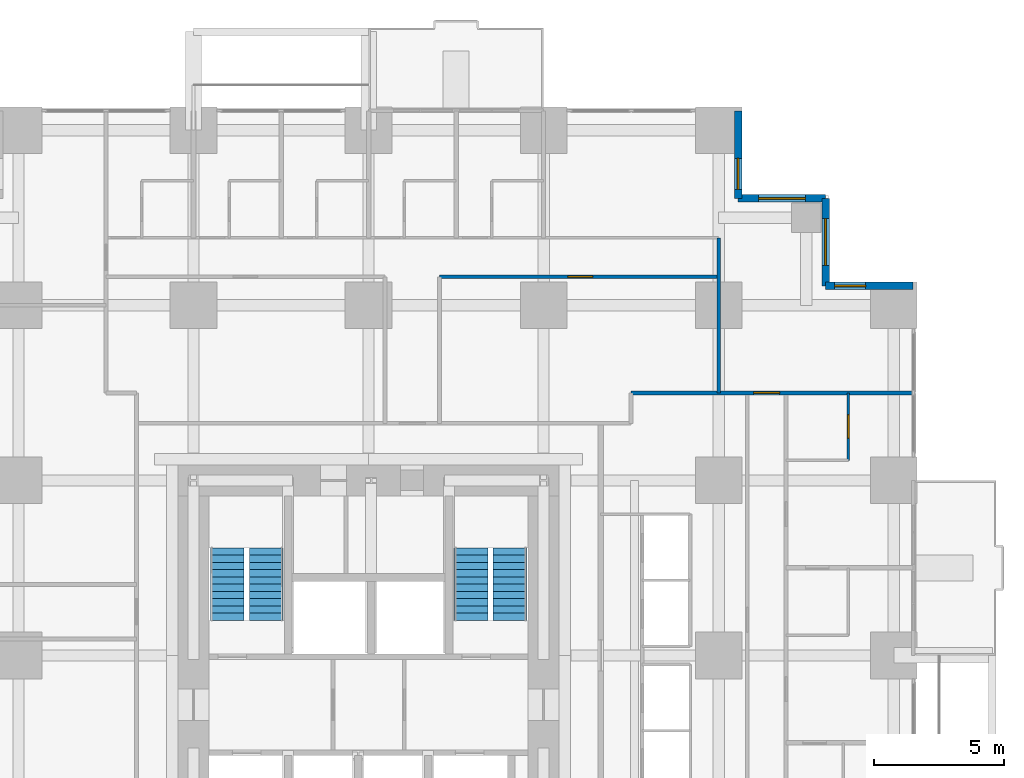
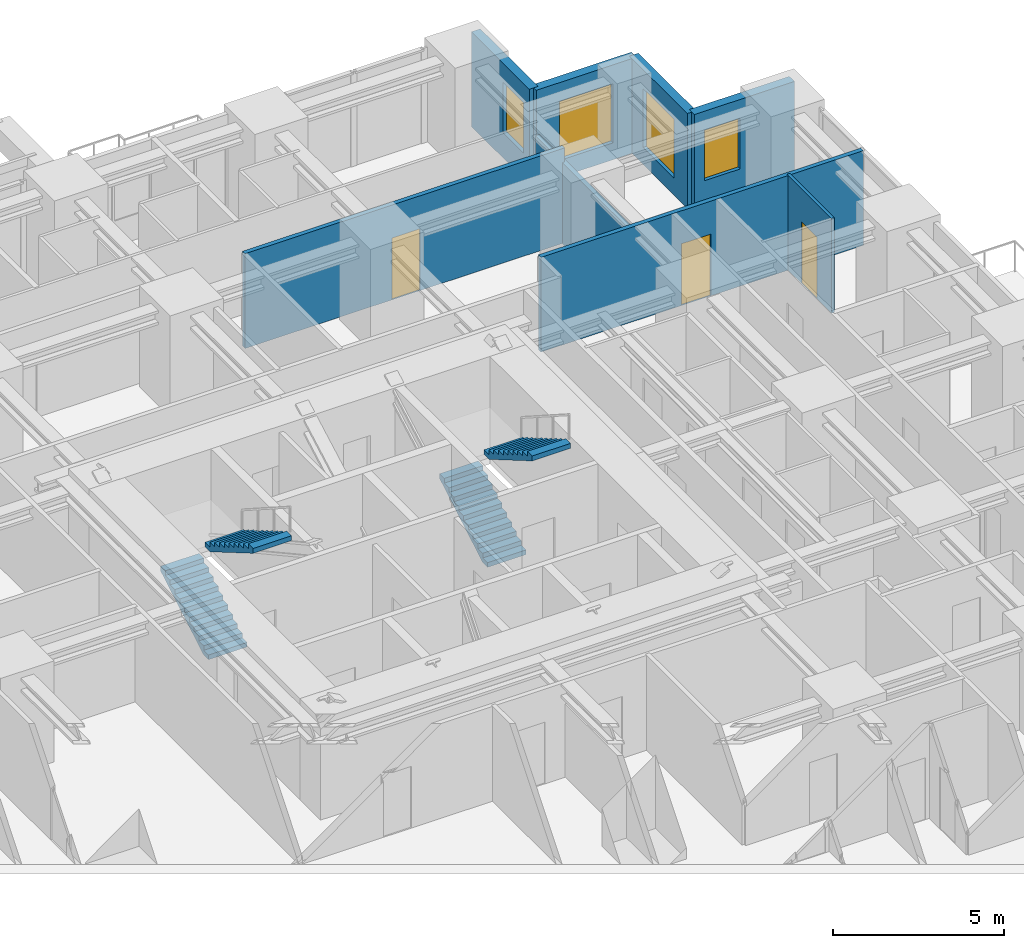
# One storey, part 13 of 14: 8 walls, 4 stair flights, 4 windows, 3 doors, 7 openings, 2 elements without a shape of their own.
"""IFC4 building model written with IfcOpenShell, lengths in metres."""

from ifc_helpers import new_model, si_unit, direction, frame, frame_2d, origin, place, context, subcontext, project, spatial, polyline, rectangle, outline, extrude, material, layer, layer_set, type_object, element, fill, aggregate, save


model = new_model("IFC4")

# Units and contexts
model_context = context("Model", 3, precision=1e-05, world=origin(), true_north=direction((0.0, 1.0)))
body_context = subcontext(model_context, "Body", "Model", "MODEL_VIEW")
ifc_project = project(units=[si_unit("LENGTHUNIT", "METRE"), si_unit("AREAUNIT", "SQUARE_METRE"), si_unit("VOLUMEUNIT", "CUBIC_METRE"), si_unit("PLANEANGLEUNIT", "RADIAN"), si_unit("MASSUNIT", "GRAM", prefix="KILO")], contexts=[model_context])

# Site, building, storey
site_placement = place(None, origin())
site = spatial("IfcSite", under=ifc_project, at=site_placement, CompositionType="ELEMENT")
building_placement = place(site_placement, origin())
building = spatial("IfcBuilding", under=site, at=building_placement, Name="Nyansa Garden Tower", CompositionType="ELEMENT")
storey_placement = place(building_placement, frame((0.0, 0.0, 64.800048828125)))
storey = spatial("IfcBuildingStorey", under=building, at=storey_placement, Name="L17", CompositionType="ELEMENT", Elevation=64.800048828125)

# Wall, opening, door
ifc_material_1 = material(Name="Blockwork, plastered both sides", Category="masonry")
ifc_layer_1 = layer(ifc_material_1, 0.14990234375)
ifc_layer_set_1 = layer_set([ifc_layer_1], Name="Partition PW150")
wall_type_1 = type_object("IfcWallType", Name="Partition PW150", PredefinedType="PARTITIONING", material=ifc_layer_set_1)
wall_1_placement = place(storey_placement, frame((22.987548828125, 34.85009765625, 0.0), z_axis=(0.0, 0.0, 1.0), x_axis=(1.0, 0.0, 0.0)))
wall_1 = element("IfcWall", 1, at=wall_1_placement, inside=storey, type_object=wall_type_1, Name="Partition", PredefinedType="PARTITIONING", context=body_context, shape_type="SweptSolid", body=[
    extrude(rectangle(XDim=10.762451171875, YDim=0.14990234375, at=frame_2d((5.38134765625, 0.0))), origin(), (0.0, 0.0, 1.0), 3.375),
])
opening_1_placement = place(wall_1_placement, frame((4.949951171875, 0.0, 0.0)))
opening_1 = element("IfcOpeningElement", 2, at=opening_1_placement, cuts=wall_1, Name="Opening D01", PredefinedType="OPENING", context=body_context, shape_type="SweptSolid", body=[
    extrude(rectangle(XDim=0.949951171875, YDim=2.199951171875, at=frame_2d((0.47509765625, 1.10009765625))), frame((0.0, 0.0849609375, 0.0), z_axis=(0.0, -1.0, 0.0), x_axis=(1.0, 0.0, 0.0)), (0.0, 0.0, 1.0), 0.169921875),
])
ifc_material_2 = material(Name="Timber flush door, 30 minute fire resisting", Category="wood")
door_type_1 = type_object("IfcDoorType", Name="Bedroom door D01 950x2200", OperationType="SINGLE_SWING_LEFT", PredefinedType="DOOR", material=ifc_material_2)
door_1_placement = place(opening_1_placement, origin())
door_1 = element("IfcDoor", 3, at=door_1_placement, inside=storey, type_object=door_type_1, Name="Door L17-057", OperationType="SINGLE_SWING_LEFT", OverallHeight=2.199951171875, OverallWidth=0.949951171875, PredefinedType="DOOR", context=body_context, shape_type="SweptSolid", body=[
    extrude(rectangle(XDim=0.949951171875, YDim=2.199951171875, at=frame_2d((0.47509765625, 1.10009765625))), frame((0.0, 0.02490234375, 0.0), z_axis=(0.0, -1.0, 0.0), x_axis=(1.0, 0.0, 0.0)), (0.0, 0.0, 1.0), 0.050048828125),
])
fill(opening_1, door_1)

wall_2_placement = place(storey_placement, frame((30.375, 30.375, 0.0), z_axis=(0.0, 0.0, 1.0), x_axis=(1.0, 0.0, 0.0)))
wall_2 = element("IfcWall", 4, at=wall_2_placement, inside=storey, type_object=wall_type_1, Name="Partition", PredefinedType="PARTITIONING", context=body_context, shape_type="SweptSolid", body=[
    extrude(rectangle(XDim=10.85888671875, YDim=0.14990234375, at=frame_2d((5.429443359375, 0.0))), origin(), (0.0, 0.0, 1.0), 3.375),
])
opening_2_placement = place(wall_2_placement, frame((4.72509765625, 0.0, 0.0)))
opening_2 = element("IfcOpeningElement", 5, at=opening_2_placement, cuts=wall_2, Name="Opening D03", PredefinedType="OPENING", context=body_context, shape_type="SweptSolid", body=[
    extrude(rectangle(XDim=1.0, YDim=2.199951171875, at=frame_2d((0.5, 1.10009765625))), frame((0.0, 0.0849609375, 0.0), z_axis=(0.0, -1.0, 0.0), x_axis=(1.0, 0.0, 0.0)), (0.0, 0.0, 1.0), 0.169921875),
])
ifc_material_3 = material(Name="Timber flush door, 60 minute fire resisting", Category="wood")
door_type_2 = type_object("IfcDoorType", Name="Cluster entrance door D03 1000x2200", OperationType="SINGLE_SWING_LEFT", PredefinedType="DOOR", material=ifc_material_3)
door_2_placement = place(opening_2_placement, origin())
door_2 = element("IfcDoor", 6, at=door_2_placement, inside=storey, type_object=door_type_2, Name="Door L17-044", OperationType="SINGLE_SWING_LEFT", OverallHeight=2.199951171875, OverallWidth=1.0, PredefinedType="DOOR", context=body_context, shape_type="SweptSolid", body=[
    extrude(rectangle(XDim=1.0, YDim=2.199951171875, at=frame_2d((0.5, 1.10009765625))), frame((0.0, 0.02490234375, 0.0), z_axis=(0.0, -1.0, 0.0), x_axis=(1.0, 0.0, 0.0)), (0.0, 0.0, 1.0), 0.050048828125),
])
fill(opening_2, door_2)

# Wall
wall_3_placement = place(storey_placement, frame((33.75, 30.375, 0.0), z_axis=(0.0, 0.0, 1.0), x_axis=(0.0, 1.0, 0.0)))
element("IfcWall", 7, at=wall_3_placement, inside=storey, type_object=wall_type_1, Name="Partition", PredefinedType="PARTITIONING", context=body_context, shape_type="SweptSolid", body=[
    extrude(rectangle(XDim=5.97509765625, YDim=0.14990234375, at=frame_2d((2.987548828125, 0.0))), origin(), (0.0, 0.0, 1.0), 2.876953125),
])

# Wall, opening, window
ifc_material_4 = material(Name="Turquoise glazed tile on concrete blockwork", Category="masonry")
ifc_layer_2 = layer(ifc_material_4, 0.300048828125)
ifc_layer_set_2 = layer_set([ifc_layer_2], Name="Tiled corner wall TW300")
wall_type_2 = type_object("IfcWallType", Name="Tiled corner wall TW300", PredefinedType="SOLIDWALL", material=ifc_layer_set_2)
wall_4_placement = place(storey_placement, frame((41.25, 34.5, 0.0), z_axis=(0.0, 0.0, 1.0), x_axis=(-1.0, 0.0, 0.0)))
wall_4 = element("IfcWall", 8, at=wall_4_placement, inside=storey, type_object=wall_type_2, Name="Tiled corner wall L17", PredefinedType="SOLIDWALL", context=body_context, shape_type="SweptSolid", body=[
    extrude(rectangle(XDim=3.375, YDim=0.300048828125, at=frame_2d((1.6875, 0.0))), origin(), (0.0, 0.0, 1.0), 3.375),
])
opening_3_placement = place(wall_4_placement, frame((1.83251953125, 0.0, 0.89990234375)))
opening_3 = element("IfcOpeningElement", 9, at=opening_3_placement, cuts=wall_4, Name="Opening W4", PredefinedType="OPENING", context=body_context, shape_type="SweptSolid", body=[
    extrude(rectangle(XDim=1.199951171875, YDim=1.800048828125, at=frame_2d((0.60009765625, 0.89990234375))), frame((0.0, 0.159912109375, 0.0), z_axis=(0.0, -1.0, 0.0), x_axis=(1.0, 0.0, 0.0)), (0.0, 0.0, 1.0), 0.320068359375),
])
ifc_material_5 = material(Name="Black aluminium frame, dark tinted double glazing", Category="aluminium")
window_type_1 = type_object("IfcWindowType", Name="Window W4 1200x1800", PartitioningType="SINGLE_PANEL", PredefinedType="WINDOW", material=ifc_material_5)
window_1_placement = place(opening_3_placement, origin())
window_1 = element("IfcWindow", 10, at=window_1_placement, inside=storey, type_object=window_type_1, Name="Corner window L17", OverallHeight=1.800048828125, OverallWidth=1.199951171875, PartitioningType="SINGLE_PANEL", PredefinedType="WINDOW", context=body_context, shape_type="SweptSolid", body=[
    extrude(rectangle(XDim=1.199951171875, YDim=1.800048828125, at=frame_2d((0.60009765625, 0.89990234375))), frame((0.0, 0.030029296875, 0.0), z_axis=(0.0, -1.0, 0.0), x_axis=(1.0, 0.0, 0.0)), (0.0, 0.0, 1.0), 0.06005859375),
])
fill(opening_3, window_1)

wall_5_placement = place(storey_placement, frame((37.875, 34.5, 0.0), z_axis=(0.0, 0.0, 1.0), x_axis=(0.0, 1.0, 0.0)))
wall_5 = element("IfcWall", 11, at=wall_5_placement, inside=storey, type_object=wall_type_2, Name="Tiled corner wall L17", PredefinedType="SOLIDWALL", context=body_context, shape_type="SweptSolid", body=[
    extrude(rectangle(XDim=3.375, YDim=0.300048828125, at=frame_2d((1.6875, 0.0))), origin(), (0.0, 0.0, 1.0), 3.375),
])
opening_4_placement = place(wall_5_placement, frame((0.78759765625, 0.0, 0.60009765625)))
opening_4 = element("IfcOpeningElement", 12, at=opening_4_placement, cuts=wall_5, Name="Opening W2", PredefinedType="OPENING", context=body_context, shape_type="SweptSolid", body=[
    extrude(rectangle(XDim=1.800048828125, YDim=2.10009765625, at=frame_2d((0.89990234375, 1.050048828125))), frame((0.0, 0.159912109375, 0.0), z_axis=(0.0, -1.0, 0.0), x_axis=(1.0, 0.0, 0.0)), (0.0, 0.0, 1.0), 0.320068359375),
])
ifc_material_6 = material(Name="Black aluminium frame, dark tinted double glazing", Category="aluminium")
window_type_2 = type_object("IfcWindowType", Name="Window W2 1800x2100", PartitioningType="SINGLE_PANEL", PredefinedType="WINDOW", material=ifc_material_6)
window_2_placement = place(opening_4_placement, origin())
window_2 = element("IfcWindow", 13, at=window_2_placement, inside=storey, type_object=window_type_2, Name="Corner window L17", OverallHeight=2.10009765625, OverallWidth=1.800048828125, PartitioningType="SINGLE_PANEL", PredefinedType="WINDOW", context=body_context, shape_type="SweptSolid", body=[
    extrude(rectangle(XDim=1.800048828125, YDim=2.10009765625, at=frame_2d((0.89990234375, 1.050048828125))), frame((0.0, 0.030029296875, 0.0), z_axis=(0.0, -1.0, 0.0), x_axis=(1.0, 0.0, 0.0)), (0.0, 0.0, 1.0), 0.06005859375),
])
fill(opening_4, window_2)

wall_6_placement = place(storey_placement, frame((37.875, 37.875, 0.0), z_axis=(0.0, 0.0, 1.0), x_axis=(-1.0, 0.0, 0.0)))
wall_6 = element("IfcWall", 14, at=wall_6_placement, inside=storey, type_object=wall_type_2, Name="Tiled corner wall L17", PredefinedType="SOLIDWALL", context=body_context, shape_type="SweptSolid", body=[
    extrude(rectangle(XDim=3.375, YDim=0.300048828125, at=frame_2d((1.6875, 0.0))), origin(), (0.0, 0.0, 1.0), 3.375),
])
opening_5_placement = place(wall_6_placement, frame((0.78759765625, 0.0, 0.60009765625)))
opening_5 = element("IfcOpeningElement", 15, at=opening_5_placement, cuts=wall_6, Name="Opening W2", PredefinedType="OPENING", context=body_context, shape_type="SweptSolid", body=[
    extrude(rectangle(XDim=1.800048828125, YDim=2.10009765625, at=frame_2d((0.89990234375, 1.050048828125))), frame((0.0, 0.159912109375, 0.0), z_axis=(0.0, -1.0, 0.0), x_axis=(1.0, 0.0, 0.0)), (0.0, 0.0, 1.0), 0.320068359375),
])
window_3_placement = place(opening_5_placement, origin())
window_3 = element("IfcWindow", 16, at=window_3_placement, inside=storey, type_object=window_type_2, Name="Corner window L17", OverallHeight=2.10009765625, OverallWidth=1.800048828125, PartitioningType="SINGLE_PANEL", PredefinedType="WINDOW", context=body_context, shape_type="SweptSolid", body=[
    extrude(rectangle(XDim=1.800048828125, YDim=2.10009765625, at=frame_2d((0.89990234375, 1.050048828125))), frame((0.0, 0.030029296875, 0.0), z_axis=(0.0, -1.0, 0.0), x_axis=(1.0, 0.0, 0.0)), (0.0, 0.0, 1.0), 0.06005859375),
])
fill(opening_5, window_3)

wall_7_placement = place(storey_placement, frame((34.5, 37.875, 0.0), z_axis=(0.0, 0.0, 1.0), x_axis=(0.0, 1.0, 0.0)))
wall_7 = element("IfcWall", 17, at=wall_7_placement, inside=storey, type_object=wall_type_2, Name="Tiled corner wall L17", PredefinedType="SOLIDWALL", context=body_context, shape_type="SweptSolid", body=[
    extrude(rectangle(XDim=3.375, YDim=0.300048828125, at=frame_2d((1.6875, 0.0))), origin(), (0.0, 0.0, 1.0), 3.375),
])
opening_6_placement = place(wall_7_placement, frame((0.342529296875, 0.0, 0.89990234375)))
opening_6 = element("IfcOpeningElement", 18, at=opening_6_placement, cuts=wall_7, Name="Opening W4", PredefinedType="OPENING", context=body_context, shape_type="SweptSolid", body=[
    extrude(rectangle(XDim=1.199951171875, YDim=1.800048828125, at=frame_2d((0.60009765625, 0.89990234375))), frame((0.0, 0.159912109375, 0.0), z_axis=(0.0, -1.0, 0.0), x_axis=(1.0, 0.0, 0.0)), (0.0, 0.0, 1.0), 0.320068359375),
])
window_4_placement = place(opening_6_placement, origin())
window_4 = element("IfcWindow", 19, at=window_4_placement, inside=storey, type_object=window_type_1, Name="Corner window L17", OverallHeight=1.800048828125, OverallWidth=1.199951171875, PartitioningType="SINGLE_PANEL", PredefinedType="WINDOW", context=body_context, shape_type="SweptSolid", body=[
    extrude(rectangle(XDim=1.199951171875, YDim=1.800048828125, at=frame_2d((0.60009765625, 0.89990234375))), frame((0.0, 0.030029296875, 0.0), z_axis=(0.0, -1.0, 0.0), x_axis=(1.0, 0.0, 0.0)), (0.0, 0.0, 1.0), 0.06005859375),
])
fill(opening_6, window_4)

# Wall, opening, door
ifc_material_7 = material(Name="Moisture resistant board on steel studs, tiled", Category="steel")
ifc_layer_3 = layer(ifc_material_7, 0.10009765625)
ifc_layer_set_3 = layer_set([ifc_layer_3], Name="Wet wall PW100")
wall_type_3 = type_object("IfcWallType", Name="Wet wall PW100", PredefinedType="PARTITIONING", material=ifc_layer_set_3)
wall_8_placement = place(storey_placement, frame((38.75, 27.77490234375, 0.0), z_axis=(0.0, 0.0, 1.0), x_axis=(0.0, 1.0, 0.0)))
wall_8 = element("IfcWall", 20, at=wall_8_placement, inside=storey, type_object=wall_type_3, Name="Wet wall", PredefinedType="PARTITIONING", context=body_context, shape_type="SweptSolid", body=[
    extrude(rectangle(XDim=2.60009765625, YDim=0.10009765625, at=frame_2d((1.300048828125, 0.0))), origin(), (0.0, 0.0, 1.0), 3.375),
])
opening_7_placement = place(wall_8_placement, frame((0.85009765625, 0.0, 0.0)))
opening_7 = element("IfcOpeningElement", 21, at=opening_7_placement, cuts=wall_8, Name="Opening D02", PredefinedType="OPENING", context=body_context, shape_type="SweptSolid", body=[
    extrude(rectangle(XDim=0.89990234375, YDim=2.199951171875, at=frame_2d((0.449951171875, 1.10009765625))), frame((0.0, 0.06005859375, 0.0), z_axis=(0.0, -1.0, 0.0), x_axis=(1.0, 0.0, 0.0)), (0.0, 0.0, 1.0), 0.1201171875),
])
ifc_material_8 = material(Name="Timber flush door", Category="wood")
door_type_3 = type_object("IfcDoorType", Name="En-suite door D02 900x2200", OperationType="SINGLE_SWING_RIGHT", PredefinedType="DOOR", material=ifc_material_8)
door_3_placement = place(opening_7_placement, origin())
door_3 = element("IfcDoor", 22, at=door_3_placement, inside=storey, type_object=door_type_3, Name="Door L17-036", OperationType="SINGLE_SWING_RIGHT", OverallHeight=2.199951171875, OverallWidth=0.89990234375, PredefinedType="DOOR", context=body_context, shape_type="SweptSolid", body=[
    extrude(rectangle(XDim=0.89990234375, YDim=2.199951171875, at=frame_2d((0.449951171875, 1.10009765625))), frame((0.0, 0.02490234375, 0.0), z_axis=(0.0, -1.0, 0.0), x_axis=(1.0, 0.0, 0.0)), (0.0, 0.0, 1.0), 0.050048828125),
])
fill(opening_7, door_3)

# Stair, stair flights
ifc_material_9 = material(Name="Precast concrete C40/50", Category="concrete")
stair_type_1 = type_object("IfcStairType", Name="Stair S1 164x280", PredefinedType="HALF_TURN_STAIR", material=ifc_material_9)
stair_1_placement = place(storey_placement, origin())
stair_1 = element("IfcStair", 23, at=stair_1_placement, inside=storey, type_object=stair_type_1, Name="Stair S1 L17", PredefinedType="HALF_TURN_STAIR")
ifc_material_10 = material(Name="Precast concrete C40/50", Category="concrete")
stair_flight_type_1 = type_object("IfcStairFlightType", Name="Stair flight S1 164x280x11", PredefinedType="STRAIGHT", material=ifc_material_10)
stair_flight_1_placement = place(storey_placement, frame((14.800048828125, 21.60009765625, 0.0), z_axis=(0.0, 0.0, 1.0), x_axis=(0.0, 1.0, 0.0)))
stair_flight_1 = element("IfcStairFlight", 24, at=stair_flight_1_placement, type_object=stair_flight_type_1, Name="S1 flight 1", NumberOfRisers=11, NumberOfTreads=10, PredefinedType="STRAIGHT", RiserHeight=0.163636364, TreadLength=0.28, context=body_context, shape_type="SweptSolid", body=[
    extrude(outline(polyline([(0.0, 0.0), (0.0, 0.16357421875), (0.280029296875, 0.16357421875), (0.280029296875, 0.327392578125), (0.56005859375, 0.327392578125), (0.56005859375, 0.490966796875), (0.840087890625, 0.490966796875), (0.840087890625, 0.654541015625), (1.1201171875, 0.654541015625), (1.1201171875, 0.818115234375), (1.39990234375, 0.818115234375), (1.39990234375, 0.98193359375), (1.679931640625, 0.98193359375), (1.679931640625, 1.1455078125), (1.9599609375, 1.1455078125), (1.9599609375, 1.30908203125), (2.239990234375, 1.30908203125), (2.239990234375, 1.47265625), (2.52001953125, 1.47265625), (2.52001953125, 1.636474609375), (2.800048828125, 1.636474609375), (2.800048828125, 1.800048828125), (2.800048828125, 1.462646484375), (0.297119140625, 0.0), (0.0, 0.0)])), frame((0.0, 0.64990234375, 0.0), z_axis=(0.0, -1.0, 0.0), x_axis=(1.0, 0.0, 0.0)), (0.0, 0.0, 1.0), 1.300048828125),
])
stair_flight_2_placement = place(storey_placement, frame((16.300048828125, 24.39990234375, 1.800048828125), z_axis=(0.0, 0.0, 1.0), x_axis=(0.0, -1.0, 0.0)))
stair_flight_2 = element("IfcStairFlight", 25, at=stair_flight_2_placement, type_object=stair_flight_type_1, Name="S1 flight 2", NumberOfRisers=11, NumberOfTreads=10, PredefinedType="STRAIGHT", RiserHeight=0.163636364, TreadLength=0.28, context=body_context, shape_type="SweptSolid", body=[
    extrude(outline(polyline([(0.0, 0.0), (0.0, 0.16357421875), (0.280029296875, 0.16357421875), (0.280029296875, 0.327392578125), (0.56005859375, 0.327392578125), (0.56005859375, 0.490966796875), (0.840087890625, 0.490966796875), (0.840087890625, 0.654541015625), (1.1201171875, 0.654541015625), (1.1201171875, 0.818115234375), (1.39990234375, 0.818115234375), (1.39990234375, 0.98193359375), (1.679931640625, 0.98193359375), (1.679931640625, 1.1455078125), (1.9599609375, 1.1455078125), (1.9599609375, 1.30908203125), (2.239990234375, 1.30908203125), (2.239990234375, 1.47265625), (2.52001953125, 1.47265625), (2.52001953125, 1.636474609375), (2.800048828125, 1.636474609375), (2.800048828125, 1.800048828125), (2.800048828125, 1.462646484375), (0.297119140625, 0.0), (0.0, 0.0)])), frame((0.0, 0.64990234375, 0.0), z_axis=(0.0, -1.0, 0.0), x_axis=(1.0, 0.0, 0.0)), (0.0, 0.0, 1.0), 1.300048828125),
])
aggregate(stair_1, [stair_flight_1, stair_flight_2])

ifc_material_11 = material(Name="Precast concrete C40/50", Category="concrete")
stair_type_2 = type_object("IfcStairType", Name="Stair S2 164x280", PredefinedType="HALF_TURN_STAIR", material=ifc_material_11)
stair_2_placement = place(storey_placement, origin())
stair_2 = element("IfcStair", 26, at=stair_2_placement, inside=storey, type_object=stair_type_2, Name="Stair S2 L17", PredefinedType="HALF_TURN_STAIR")
ifc_material_12 = material(Name="Precast concrete C40/50", Category="concrete")
stair_flight_type_2 = type_object("IfcStairFlightType", Name="Stair flight S2 164x280x11", PredefinedType="STRAIGHT", material=ifc_material_12)
stair_flight_3_placement = place(storey_placement, frame((24.199951171875, 21.60009765625, 0.0), z_axis=(0.0, 0.0, 1.0), x_axis=(0.0, 1.0, 0.0)))
stair_flight_3 = element("IfcStairFlight", 27, at=stair_flight_3_placement, type_object=stair_flight_type_2, Name="S2 flight 1", NumberOfRisers=11, NumberOfTreads=10, PredefinedType="STRAIGHT", RiserHeight=0.163636364, TreadLength=0.28, context=body_context, shape_type="SweptSolid", body=[
    extrude(outline(polyline([(0.0, 0.0), (0.0, 0.16357421875), (0.280029296875, 0.16357421875), (0.280029296875, 0.327392578125), (0.56005859375, 0.327392578125), (0.56005859375, 0.490966796875), (0.840087890625, 0.490966796875), (0.840087890625, 0.654541015625), (1.1201171875, 0.654541015625), (1.1201171875, 0.818115234375), (1.39990234375, 0.818115234375), (1.39990234375, 0.98193359375), (1.679931640625, 0.98193359375), (1.679931640625, 1.1455078125), (1.9599609375, 1.1455078125), (1.9599609375, 1.30908203125), (2.239990234375, 1.30908203125), (2.239990234375, 1.47265625), (2.52001953125, 1.47265625), (2.52001953125, 1.636474609375), (2.800048828125, 1.636474609375), (2.800048828125, 1.800048828125), (2.800048828125, 1.462646484375), (0.297119140625, 0.0), (0.0, 0.0)])), frame((0.0, 0.64990234375, 0.0), z_axis=(0.0, -1.0, 0.0), x_axis=(1.0, 0.0, 0.0)), (0.0, 0.0, 1.0), 1.300048828125),
])
stair_flight_4_placement = place(storey_placement, frame((25.699951171875, 24.39990234375, 1.800048828125), z_axis=(0.0, 0.0, 1.0), x_axis=(0.0, -1.0, 0.0)))
stair_flight_4 = element("IfcStairFlight", 28, at=stair_flight_4_placement, type_object=stair_flight_type_2, Name="S2 flight 2", NumberOfRisers=11, NumberOfTreads=10, PredefinedType="STRAIGHT", RiserHeight=0.163636364, TreadLength=0.28, context=body_context, shape_type="SweptSolid", body=[
    extrude(outline(polyline([(0.0, 0.0), (0.0, 0.16357421875), (0.280029296875, 0.16357421875), (0.280029296875, 0.327392578125), (0.56005859375, 0.327392578125), (0.56005859375, 0.490966796875), (0.840087890625, 0.490966796875), (0.840087890625, 0.654541015625), (1.1201171875, 0.654541015625), (1.1201171875, 0.818115234375), (1.39990234375, 0.818115234375), (1.39990234375, 0.98193359375), (1.679931640625, 0.98193359375), (1.679931640625, 1.1455078125), (1.9599609375, 1.1455078125), (1.9599609375, 1.30908203125), (2.239990234375, 1.30908203125), (2.239990234375, 1.47265625), (2.52001953125, 1.47265625), (2.52001953125, 1.636474609375), (2.800048828125, 1.636474609375), (2.800048828125, 1.800048828125), (2.800048828125, 1.462646484375), (0.297119140625, 0.0), (0.0, 0.0)])), frame((0.0, 0.64990234375, 0.0), z_axis=(0.0, -1.0, 0.0), x_axis=(1.0, 0.0, 0.0)), (0.0, 0.0, 1.0), 1.300048828125),
])
aggregate(stair_2, [stair_flight_3, stair_flight_4])

save(model, "model.ifc")
